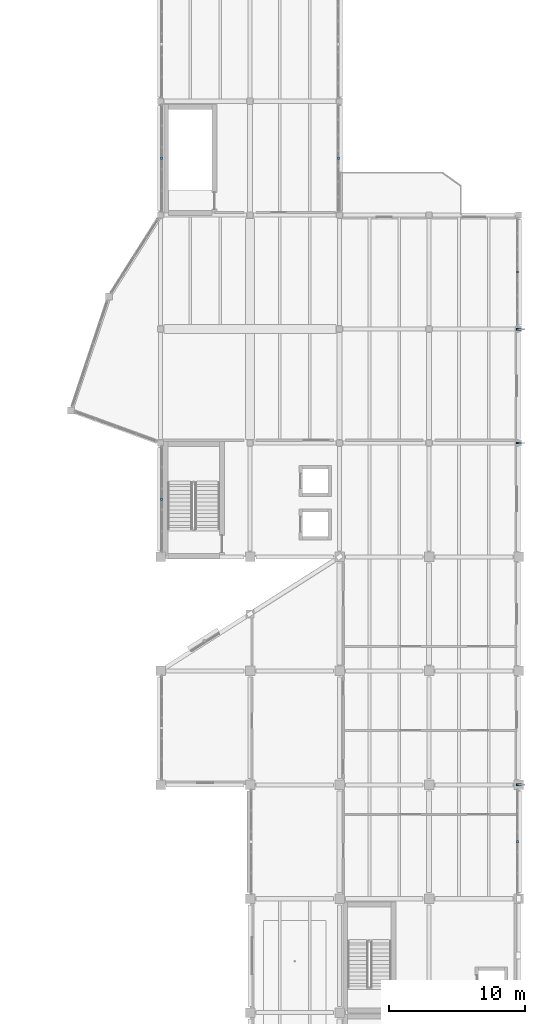
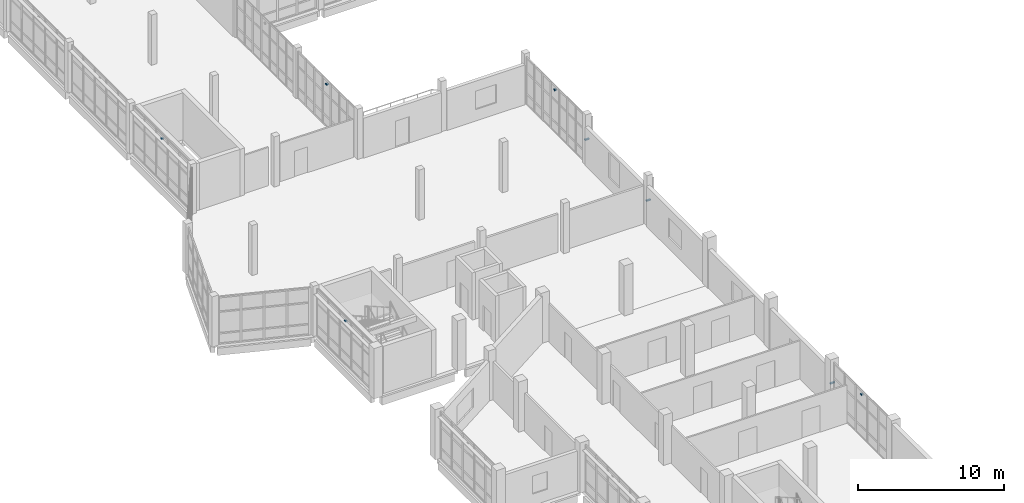
# One storey, part 63 of 74: 8 discrete accessories.
"""IFC4 building model written with IfcOpenShell, lengths in metres."""

import ifcopenshell
import ifcopenshell.guid

model = None  # the IFC model being written
_history = None  # IfcOwnerHistory: only IFC2X3 demands one
_inside = {}  # id of a spatial element -> (the spatial element, [elements in it])
_under = {}  # id of a project, library or spatial element -> (it, [spatial elements below it])
_declared = {}  # id of a project -> (the project, [libraries it declares])
_typed = {}  # id of a type object -> (the type object, [elements of that type])
_made_of = {}  # id of a material, layer set ... -> (it, [elements and type objects made of it])


def new_model(schema):
    """Start an empty IFC model of exactly this schema.

    Asked for "IFC4X3", IfcOpenShell would pick the latest addendum, in which some entities
    have other attributes; the version numbers below select the first issue.
    IFC2X3 requires an IfcOwnerHistory on every rooted entity: one is made here for all.
    """
    global model, _history
    if schema == "IFC4X3":
        model = ifcopenshell.file(schema_version=(4, 3, 0, 0))
    else:
        model = ifcopenshell.file(schema=schema)
    _inside.clear()
    _under.clear()
    _declared.clear()
    _typed.clear()
    _made_of.clear()
    _history = None
    if model.schema == "IFC2X3":
        org = make("IfcOrganization", Name="unknown")
        user = make(
            "IfcPersonAndOrganization",
            ThePerson=make("IfcPerson", FamilyName="unknown"),
            TheOrganization=org,
        )
        app = make(
            "IfcApplication",
            ApplicationDeveloper=org,
            Version="unknown",
            ApplicationFullName="unknown",
            ApplicationIdentifier="unknown",
        )
        _history = make(
            "IfcOwnerHistory",
            OwningUser=user,
            OwningApplication=app,
            ChangeAction="ADDED",
            CreationDate=0,
        )
    return model


def make(cls, **values):
    """One entity of the class cls with the attributes given. An attribute that is None is left unset."""
    return model.create_entity(
        cls, **{name: value for name, value in values.items() if value is not None}
    )


def rooted(cls, **values):
    """An entity with a GlobalId (a new one), such as an element, a storey or a relation."""
    return make(cls, GlobalId=ifcopenshell.guid.new(), OwnerHistory=_history, **values)


def si_unit(unit_type, name, prefix=None):
    """IfcSIUnit, for example si_unit("LENGTHUNIT", "METRE", prefix="MILLI")."""
    return make("IfcSIUnit", UnitType=unit_type, Prefix=prefix, Name=name)


def assignment(units):
    """IfcUnitAssignment: the units of a project."""
    return None if units is None else make("IfcUnitAssignment", Units=units)


def point(xyz):
    """IfcCartesianPoint."""
    return None if xyz is None else make("IfcCartesianPoint", Coordinates=xyz)


def direction(xyz):
    """IfcDirection."""
    return None if xyz is None else make("IfcDirection", DirectionRatios=xyz)


def frame(location, z_axis=None, x_axis=None):
    """IfcAxis2Placement3D, a coordinate frame: its origin and axes. An axis left out is left unset."""
    return make(
        "IfcAxis2Placement3D",
        Location=point(location),
        Axis=direction(z_axis),
        RefDirection=direction(x_axis),
    )


def frame_2d(location, x_axis=None):
    """IfcAxis2Placement2D, a coordinate frame in the plane: its origin and x axis."""
    return make(
        "IfcAxis2Placement2D", Location=point(location), RefDirection=direction(x_axis)
    )


def origin():
    """The frame at (0, 0, 0) with its axes left unset."""
    return frame((0.0, 0.0, 0.0))


def origin_2d():
    """The frame at (0, 0) in the plane with its x axis left unset."""
    return frame_2d((0.0, 0.0))


def place(relative_to, where):
    """IfcLocalPlacement: puts the frame where relative to a parent placement (None: the world)."""
    return make(
        "IfcLocalPlacement", PlacementRelTo=relative_to, RelativePlacement=where
    )


def context(
    kind, dimensions, precision=None, world=None, true_north=None, identifier=None
):
    """IfcGeometricRepresentationContext, for example the 3D "Model" context."""
    return make(
        "IfcGeometricRepresentationContext",
        ContextIdentifier=identifier,
        ContextType=kind,
        CoordinateSpaceDimension=dimensions,
        Precision=precision,
        WorldCoordinateSystem=world,
        TrueNorth=true_north,
    )


def subcontext(parent, identifier, kind, view, scale=None):
    """IfcGeometricRepresentationSubContext, for example "Body" below "Model"."""
    return make(
        "IfcGeometricRepresentationSubContext",
        ContextIdentifier=identifier,
        ContextType=kind,
        ParentContext=parent,
        TargetScale=scale,
        TargetView=view,
    )


def project(units=None, contexts=None):
    """IfcProject with its units and contexts."""
    return rooted(
        "IfcProject",
        Name="project",
        RepresentationContexts=contexts,
        UnitsInContext=assignment(units),
    )


def spatial(cls, under=None, at=None, **own):
    """A site, building, storey or space (cls), placed at a placement, below another one or the project."""
    s = rooted(cls, ObjectPlacement=at, **own)
    if under is not None:
        _under.setdefault(under.id(), (under, []))[1].append(s)
    return s


def profile(cls, at=None, kind="AREA", **sizes):
    """A parametric profile (cls). Its sizes go by their IFC names, for example OverallWidth=200.0."""
    return make(cls, ProfileType=kind, Position=at, **sizes)


def rectangle(**sizes):
    """IfcRectangleProfileDef."""
    return profile("IfcRectangleProfileDef", **sizes)


def extrude(swept, where, along, depth):
    """IfcExtrudedAreaSolid: the profile swept, set in the frame where, extruded along a direction by depth."""
    return make(
        "IfcExtrudedAreaSolid",
        SweptArea=swept,
        Position=where,
        ExtrudedDirection=direction(along),
        Depth=depth,
    )


def shape(context_of_items, identifier, shape_type, items):
    """IfcShapeRepresentation: the items that make up one representation, for example the "Body"."""
    return make(
        "IfcShapeRepresentation",
        ContextOfItems=context_of_items,
        RepresentationIdentifier=identifier,
        RepresentationType=shape_type,
        Items=items,
    )


def material(Name=None, Category=None):
    """IfcMaterial."""
    return make("IfcMaterial", Name=Name, Category=Category)


def layer(
    of_material, thickness, ventilated=None, Name=None, Category=None, Priority=None
):
    """IfcMaterialLayer: one layer of a wall or slab, of a material (None: an air gap)."""
    return make(
        "IfcMaterialLayer",
        Material=of_material,
        LayerThickness=thickness,
        IsVentilated=ventilated,
        Name=Name,
        Category=Category,
        Priority=Priority,
    )


def layer_set(layers, Name=None):
    """IfcMaterialLayerSet."""
    return make("IfcMaterialLayerSet", MaterialLayers=layers, LayerSetName=Name)


def made_of(thing, what):
    """Note that an element or type object is made of a material, layer set ...; save() writes the relation."""
    if what is not None:
        _made_of.setdefault(what.id(), (what, []))[1].append(thing)
    return thing


def type_object(cls, material=None, **own):
    """A type object (cls), such as IfcWallType, which elements share."""
    return made_of(rooted(cls, **own), material)


def element(
    cls,
    number,
    at=None,
    inside=None,
    cuts=None,
    type_object=None,
    material=None,
    context=None,
    identifier="Body",
    shape_type=None,
    held_by="IfcProductDefinitionShape",
    body=None,
    shapes=None,
    **own,
):
    """One element of the class cls, such as IfcWall. Its Tag is "e" and its number.

    at: its placement. inside: the storey or other place that contains it. cuts: it is an
    opening in that element (IfcRelVoidsElement). A single representation is given by context,
    identifier, shape_type and body (its items); several are given by shapes. held_by: the class
    of the entity that holds the representations. save() writes the other relations.
    """
    e = rooted(cls, Tag="e%d" % number, ObjectPlacement=at, **own)
    if body is not None:
        shapes = [shape(context, identifier, shape_type, body)]
    if shapes is not None:
        e.Representation = make(held_by, Representations=shapes)
    if inside is not None:
        _inside.setdefault(inside.id(), (inside, []))[1].append(e)
    if cuts is not None:
        rooted(
            "IfcRelVoidsElement", RelatingBuildingElement=cuts, RelatedOpeningElement=e
        )
    if type_object is not None:
        _typed.setdefault(type_object.id(), (type_object, []))[1].append(e)
    return made_of(e, material)


def aggregate(whole, parts):
    """IfcRelAggregates: a whole, such as a stair, and the parts it consists of."""
    return rooted("IfcRelAggregates", RelatingObject=whole, RelatedObjects=parts)


def save(model, path):
    """Write the relations noted so far, then the file.

    IfcRelAggregates (storeys below a building ...), IfcRelContainedInSpatialStructure (elements
    in a storey), IfcRelDefinesByType, IfcRelAssociatesMaterial and IfcRelDeclares: one each for
    every whole, place, type object, material and project.
    """
    for whole, parts in _under.values():
        aggregate(whole, parts)
    for where, things in _inside.values():
        rooted(
            "IfcRelContainedInSpatialStructure",
            RelatedElements=things,
            RelatingStructure=where,
        )
    for kind, things in _typed.values():
        rooted("IfcRelDefinesByType", RelatedObjects=things, RelatingType=kind)
    for what, things in _made_of.values():
        rooted("IfcRelAssociatesMaterial", RelatedObjects=things, RelatingMaterial=what)
    for by, libraries in _declared.values():
        rooted("IfcRelDeclares", RelatingContext=by, RelatedDefinitions=libraries)
    model.write(path)


model = new_model("IFC4")

# Units and contexts
model_context = context("Model", 3, precision=1e-05, world=origin(), true_north=direction((0.0, 1.0)))
body_context = subcontext(model_context, "Body", "Model", "MODEL_VIEW")
ifc_project = project(units=[si_unit("LENGTHUNIT", "METRE"), si_unit("AREAUNIT", "SQUARE_METRE"), si_unit("VOLUMEUNIT", "CUBIC_METRE"), si_unit("PLANEANGLEUNIT", "RADIAN"), si_unit("MASSUNIT", "GRAM", prefix="KILO")], contexts=[model_context])

# Site, building, storey
site_placement = place(None, origin())
site = spatial("IfcSite", under=ifc_project, at=site_placement, CompositionType="ELEMENT")
building_placement = place(site_placement, origin())
building = spatial("IfcBuilding", under=site, at=building_placement, Name="Qaldarim Faculty of Natural and Applied Sciences", CompositionType="ELEMENT")
storey_placement = place(building_placement, frame((0.0, 0.0, 14.39990234375)))
storey = spatial("IfcBuildingStorey", under=building, at=storey_placement, Name="L03", CompositionType="ELEMENT", Elevation=14.39990234375)

# Discrete accessories
ifc_material = material(Name="Architectural stainless steel 316", Category="steel")
ifc_layer = layer(ifc_material, 0.080078125)
ifc_layer_set = layer_set([ifc_layer], Name="Architectural stainless steel 316")
discrete_accessory_type = type_object("IfcDiscreteAccessoryType", Name="FacadeBracket-SS120", PredefinedType="BRACKET", material=ifc_layer_set)
for number, where, z_axis, x_axis, name in (
    (1, (151.8798828125, 63.06005859375, 3.550048828125), (0.0, 0.0, 1.0), (0.0, 1.0, 0.0), "Solar louvre support bracket SHD-L03-W-X24Y08"),
    (2, (151.8798828125, 88.199951171875, 3.550048828125), (0.0, 0.0, 1.0), (0.0, 1.0, 0.0), "Solar louvre support bracket SHD-L03-W-X24Y11"),
    (3, (164.919921875, 88.199951171875, 3.550048828125), (0.0, 0.0, 1.0), (0.0, 1.0, 0.0), "Solar louvre support bracket SHD-L03-E-X25Y11"),
    (4, (178.1201171875, 37.800048828125, 3.550048828125), (0.0, 0.0, 1.0), (0.0, 1.0, 0.0), "Solar louvre support bracket SHD-L03-E-X27Y05"),
    (5, (178.1201171875, 79.800048828125, 3.550048828125), (0.0, 0.0, 1.0), (0.0, 1.0, 0.0), "Solar louvre support bracket SHD-L03-E-X27Y10"),
):
    element("IfcDiscreteAccessory", number, at=place(storey_placement, frame(where, z_axis=z_axis, x_axis=x_axis)), inside=storey, type_object=discrete_accessory_type, Name=name, PredefinedType="BRACKET", context=body_context, shape_type="SweptSolid", body=[
        extrude(rectangle(XDim=0.159912109375, YDim=0.159912109375, at=origin_2d()), origin(), (0.0, 0.0, 1.0), 0.080078125),
    ])
for number, where, z_axis, x_axis, name in (
    (6, (178.199951171875, 42.0, 1.920166015625), (0.0, 0.0, 1.0), (1.0, 0.0, 0.0), "Solar fin bracket FIN-L03-X28Y06"),
    (7, (178.199951171875, 67.199951171875, 1.920166015625), (0.0, 0.0, 1.0), (1.0, 0.0, 0.0), "Solar fin bracket FIN-L03-X28Y09"),
    (8, (178.199951171875, 75.60009765625, 1.920166015625), (0.0, 0.0, 1.0), (1.0, 0.0, 0.0), "Solar fin bracket FIN-L03-X28Y10"),
):
    element("IfcDiscreteAccessory", number, at=place(storey_placement, frame(where, z_axis=z_axis, x_axis=x_axis)), inside=storey, type_object=discrete_accessory_type, Name=name, PredefinedType="BRACKET", context=body_context, shape_type="SweptSolid", body=[
        extrude(rectangle(XDim=0.360107421875, YDim=0.139892578125, at=origin_2d()), origin(), (0.0, 0.0, 1.0), 0.10009765625),
    ])

save(model, "model.ifc")
